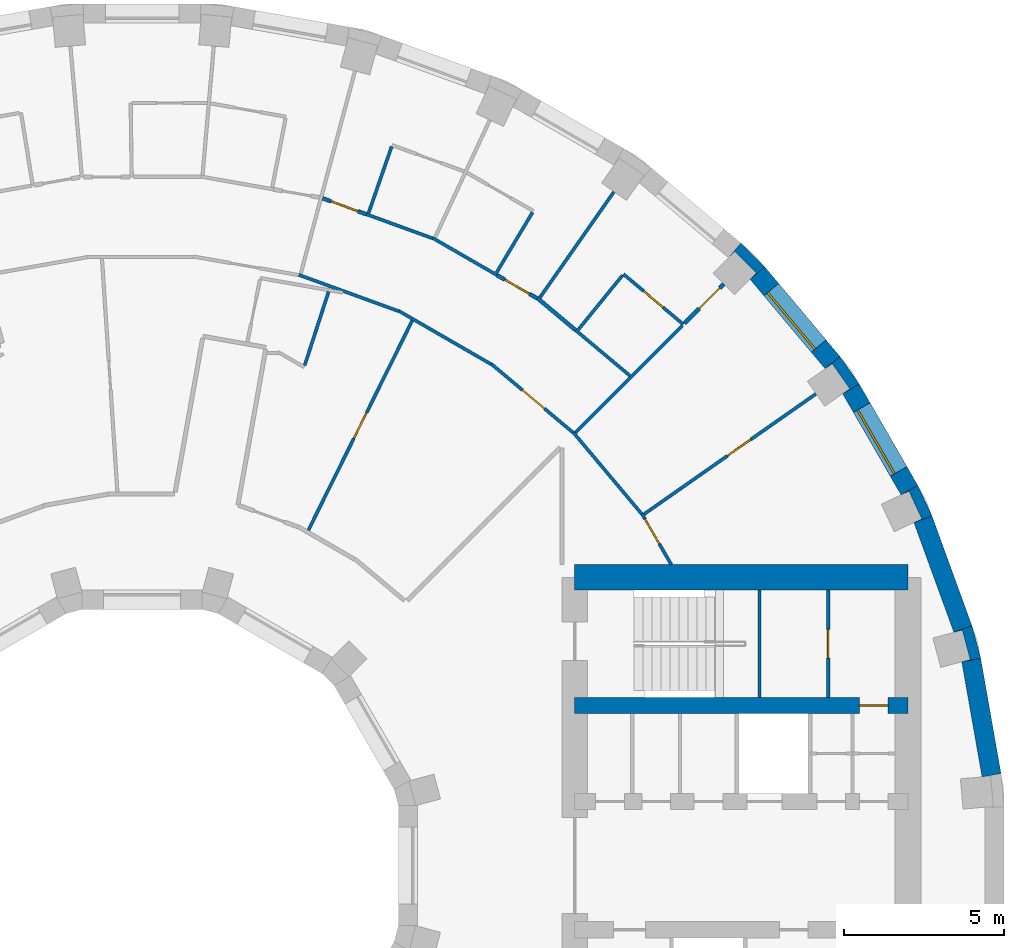
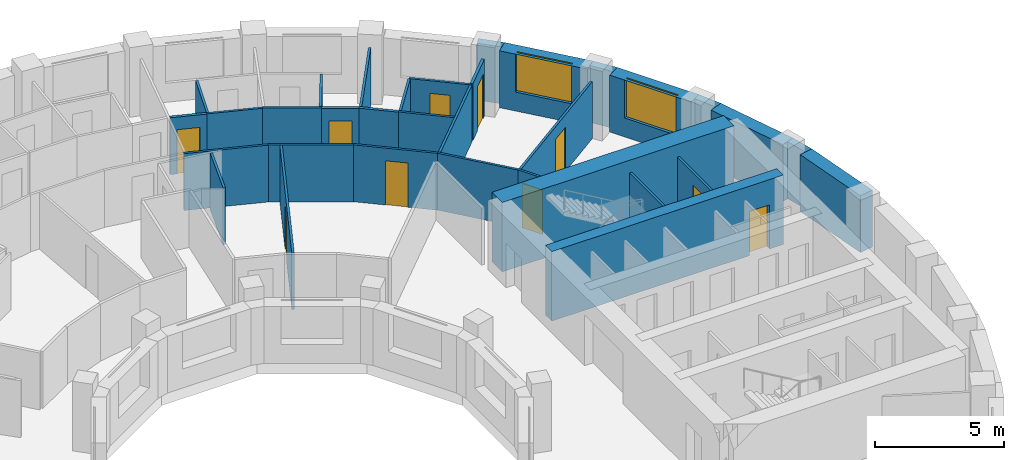
# One storey, part 14 of 16: 33 walls, 10 doors, 2 windows, 12 openings.
"""IFC4 building model written with IfcOpenShell, lengths in metres."""

from ifc_helpers import new_model, si_unit, direction, frame, frame_2d, origin, place, context, subcontext, project, spatial, polyline, rectangle, outline, extrude, material, layer, layer_set, type_object, element, fill, save


model = new_model("IFC4")

# Units and contexts
model_context = context("Model", 3, precision=1e-05, world=origin(), true_north=direction((0.0, 1.0)))
body_context = subcontext(model_context, "Body", "Model", "MODEL_VIEW")
ifc_project = project(units=[si_unit("LENGTHUNIT", "METRE"), si_unit("AREAUNIT", "SQUARE_METRE"), si_unit("VOLUMEUNIT", "CUBIC_METRE"), si_unit("PLANEANGLEUNIT", "RADIAN"), si_unit("MASSUNIT", "GRAM", prefix="KILO")], contexts=[model_context])

# Site, building, storey
site_placement = place(None, origin())
site = spatial("IfcSite", under=ifc_project, at=site_placement, CompositionType="ELEMENT")
building_placement = place(site_placement, origin())
building = spatial("IfcBuilding", under=site, at=building_placement, Name="Saqina Gate Tower", CompositionType="ELEMENT")
storey_placement = place(building_placement, frame((0.0, 0.0, 148.0)))
storey = spatial("IfcBuildingStorey", under=building, at=storey_placement, Name="L42", CompositionType="ELEMENT", Elevation=148.0)

# Walls
ifc_material_1 = material(Name="Brick masonry (buff)", Category="masonry")
wall_type_1 = type_object("IfcWallType", Name="BRICK PIER COPING BUFF", PredefinedType="SOLIDWALL", material=ifc_material_1)
wall_1_placement = place(storey_placement, origin())
element("IfcWall", 1, at=wall_1_placement, inside=storey, type_object=wall_type_1, Name="Pier cap L42 column 2", PredefinedType="SOLIDWALL", context=body_context, shape_type="SweptSolid", body=[
    extrude(outline(polyline([(26.171875, 6.466796875), (25.89892578125, 7.485595703125), (25.335205078125, 7.2802734375), (25.5947265625, 7.349853515625), (25.8408203125, 6.43212890625), (25.5810546875, 6.36279296875), (26.171875, 6.466796875)])), origin(), (0.0, 0.0, 1.0), 2.699951171875),
])
wall_2_placement = place(storey_placement, origin())
element("IfcWall", 2, at=wall_2_placement, inside=storey, type_object=wall_type_1, Name="Pier cap L42 column 3", PredefinedType="SOLIDWALL", context=body_context, shape_type="SweptSolid", body=[
    extrude(outline(polyline([(24.6513671875, 10.913330078125), (24.205810546875, 11.869140625), (23.68603515625, 11.569091796875), (23.9296875, 11.6826171875), (24.331298828125, 10.82177734375), (24.08740234375, 10.7080078125), (24.6513671875, 10.913330078125)])), origin(), (0.0, 0.0, 1.0), 2.699951171875),
])
wall_3_placement = place(storey_placement, origin())
element("IfcWall", 3, at=wall_3_placement, inside=storey, type_object=wall_type_1, Name="Pier cap L42 column 4", PredefinedType="SOLIDWALL", context=body_context, shape_type="SweptSolid", body=[
    extrude(outline(polyline([(21.77685546875, 15.89208984375), (21.317138671875, 15.50634765625), (21.53759765625, 15.66064453125), (22.08251953125, 14.88232421875), (21.862060546875, 14.728271484375), (22.3818359375, 15.0283203125), (21.77685546875, 15.89208984375)])), origin(), (0.0, 0.0, 1.0), 2.699951171875),
])
wall_4_placement = place(storey_placement, origin())
element("IfcWall", 4, at=wall_4_placement, inside=storey, type_object=wall_type_1, Name="Pier cap L42 column 5", PredefinedType="SOLIDWALL", context=body_context, shape_type="SweptSolid", body=[
    extrude(outline(polyline([(19.43212890625, 18.686279296875), (18.686279296875, 19.43212890625), (18.30078125, 18.972412109375), (18.49072265625, 19.16259765625), (19.16259765625, 18.49072265625), (18.972412109375, 18.30078125), (19.43212890625, 18.686279296875)])), origin(), (0.0, 0.0, 1.0), 2.699951171875),
])

# Wall, opening, door
ifc_material_2 = material(Name="Gypsum board on steel studs", Category="steel")
ifc_layer_1 = layer(ifc_material_2, 0.10009765625)
ifc_layer_set_1 = layer_set([ifc_layer_1], Name="CORE PARTITION")
wall_type_2 = type_object("IfcWallType", Name="CORE PARTITION", PredefinedType="PARTITIONING", material=ifc_layer_set_1)
wall_5_placement = place(storey_placement, frame((21.409912109375, 5.25, 0.0), z_axis=(0.0, 0.0, 1.0), x_axis=(0.0, 1.0, 0.0)))
wall_5 = element("IfcWall", 5, at=wall_5_placement, inside=storey, type_object=wall_type_2, Name="L42-CP-E14", PredefinedType="PARTITIONING", context=body_context, shape_type="SweptSolid", body=[
    extrude(rectangle(XDim=3.35009765625, YDim=0.10009765625, at=frame_2d((1.675048828125, 0.0))), origin(), (0.0, 0.0, 1.0), 2.699951171875),
])
opening_1_placement = place(wall_5_placement, frame((1.22509765625, 0.0, 0.0)))
opening_1 = element("IfcOpeningElement", 6, at=opening_1_placement, cuts=wall_5, Name="Opening G12-D100", PredefinedType="OPENING", context=body_context, shape_type="SweptSolid", body=[
    extrude(rectangle(XDim=0.89990234375, YDim=2.10009765625, at=frame_2d((0.449951171875, 1.050048828125))), frame((0.0, 0.06201171875, 0.0), z_axis=(0.0, -1.0, 0.0), x_axis=(1.0, 0.0, 0.0)), (0.0, 0.0, 1.0), 0.1240234375),
])
ifc_material_3 = material(Name="Steel-framed fire door leaf, EI 60", Category="steel")
door_type_1 = type_object("IfcDoorType", Name="SERVICE ROOM DOOR 900", OperationType="SINGLE_SWING_LEFT", PredefinedType="DOOR", material=ifc_material_3)
door_1_placement = place(opening_1_placement, origin())
door_1 = element("IfcDoor", 7, at=door_1_placement, inside=storey, type_object=door_type_1, Name="L42-CD-E11", OperationType="SINGLE_SWING_RIGHT", OverallHeight=2.10009765625, OverallWidth=0.89990234375, PredefinedType="DOOR", context=body_context, shape_type="SweptSolid", body=[
    extrude(rectangle(XDim=0.89990234375, YDim=2.10009765625, at=frame_2d((0.449951171875, 1.050048828125))), frame((0.0, 0.02490234375, 0.0), z_axis=(0.0, -1.0, 0.0), x_axis=(1.0, 0.0, 0.0)), (0.0, 0.0, 1.0), 0.050048828125),
])
fill(opening_1, door_1)

# Wall, opening, window
ifc_material_4 = material(Name="Brick masonry (buff)", Category="masonry")
ifc_layer_2 = layer(ifc_material_4, 0.60009765625)
ifc_layer_set_2 = layer_set([ifc_layer_2], Name="FW-BRICK-BUFF")
wall_type_3 = type_object("IfcWallType", Name="FW-BRICK-BUFF", PredefinedType="SOLIDWALL", material=ifc_layer_set_2)
wall_6_placement = place(storey_placement, frame((23.94580078125, 11.718994140625, 0.0), z_axis=(0.0, 0.0, 1.0), x_axis=(-0.499954196102, 0.866051847062, 0.0)))
wall_6 = element("IfcWall", 8, at=wall_6_placement, inside=storey, type_object=wall_type_3, Name="Facade wall L42 facet 3", PredefinedType="SOLIDWALL", context=body_context, shape_type="SweptSolid", body=[
    extrude(rectangle(XDim=3.647705078125, YDim=0.60009765625, at=frame_2d((1.82373046875, 0.0))), origin(), (0.0, 0.0, 1.0), 2.699951171875),
])
opening_2_placement = place(wall_6_placement, frame((0.673828125, 0.0, 0.89990234375)))
opening_2 = element("IfcOpeningElement", 9, at=opening_2_placement, cuts=wall_6, Name="Opening G12-W01", PredefinedType="OPENING", context=body_context, shape_type="SweptSolid", body=[
    extrude(rectangle(XDim=2.300048828125, YDim=1.800048828125, at=frame_2d((1.14990234375, 0.89990234375))), frame((0.0, 0.31201171875, 0.0), z_axis=(0.0, -1.0, 0.0), x_axis=(1.0, 0.0, 0.0)), (0.0, 0.0, 1.0), 0.6240234375),
])
ifc_material_5 = material(Name="Aluminium glazing", Category="aluminium")
window_type = type_object("IfcWindowType", Name="WN-B", PartitioningType="SINGLE_PANEL", PredefinedType="WINDOW", material=ifc_material_5)
window_1_placement = place(opening_2_placement, origin())
window_1 = element("IfcWindow", 10, at=window_1_placement, inside=storey, type_object=window_type, Name="Window L42 facet 3", OverallHeight=1.800048828125, OverallWidth=2.300048828125, PartitioningType="SINGLE_PANEL", PredefinedType="WINDOW", context=body_context, shape_type="SweptSolid", body=[
    extrude(rectangle(XDim=2.300048828125, YDim=1.800048828125, at=frame_2d((1.14990234375, 0.89990234375))), frame((0.0, 0.179931640625, 0.0), z_axis=(0.0, -1.0, 0.0), x_axis=(1.0, 0.0, 0.0)), (0.0, 0.0, 1.0), 0.06005859375),
])
fill(opening_2, window_1)

wall_7_placement = place(storey_placement, frame((21.547119140625, 15.69921875, 0.0), z_axis=(0.0, 0.0, 1.0), x_axis=(-0.642774476932, 0.766055462616, 0.0)))
wall_7 = element("IfcWall", 11, at=wall_7_placement, inside=storey, type_object=wall_type_3, Name="Facade wall L42 facet 4", PredefinedType="SOLIDWALL", context=body_context, shape_type="SweptSolid", body=[
    extrude(rectangle(XDim=3.647705078125, YDim=0.60009765625, at=frame_2d((1.82373046875, 0.0))), origin(), (0.0, 0.0, 1.0), 2.699951171875),
])
opening_3_placement = place(wall_7_placement, frame((0.673828125, 0.0, 0.89990234375)))
opening_3 = element("IfcOpeningElement", 12, at=opening_3_placement, cuts=wall_7, Name="Opening G12-W02", PredefinedType="OPENING", context=body_context, shape_type="SweptSolid", body=[
    extrude(rectangle(XDim=2.300048828125, YDim=1.800048828125, at=frame_2d((1.14990234375, 0.89990234375))), frame((0.0, 0.31201171875, 0.0), z_axis=(0.0, -1.0, 0.0), x_axis=(1.0, 0.0, 0.0)), (0.0, 0.0, 1.0), 0.6240234375),
])
window_2_placement = place(opening_3_placement, origin())
window_2 = element("IfcWindow", 13, at=window_2_placement, inside=storey, type_object=window_type, Name="Window L42 facet 4", OverallHeight=1.800048828125, OverallWidth=2.300048828125, PartitioningType="SINGLE_PANEL", PredefinedType="WINDOW", context=body_context, shape_type="SweptSolid", body=[
    extrude(rectangle(XDim=2.300048828125, YDim=1.800048828125, at=frame_2d((1.14990234375, 0.89990234375))), frame((0.0, 0.179931640625, 0.0), z_axis=(0.0, -1.0, 0.0), x_axis=(1.0, 0.0, 0.0)), (0.0, 0.0, 1.0), 0.06005859375),
])
fill(opening_3, window_2)

# Walls
ifc_material_6 = material(Name="Glazed ceramic tile", Category="ceramic")
ifc_layer_3 = layer(ifc_material_6, 0.60009765625)
ifc_layer_set_3 = layer_set([ifc_layer_3], Name="FW-TILE")
wall_type_4 = type_object("IfcWallType", Name="FW-TILE", PredefinedType="SOLIDWALL", material=ifc_layer_set_3)
wall_8_placement = place(storey_placement, frame((26.510009765625, 2.822265625, 0.0), z_axis=(0.0, 0.0, 1.0), x_axis=(-0.173670796382, 0.984803764455, 0.0)))
element("IfcWall", 14, at=wall_8_placement, inside=storey, type_object=wall_type_4, Name="Facade wall L42 facet 1", PredefinedType="SOLIDWALL", context=body_context, shape_type="SweptSolid", body=[
    extrude(rectangle(XDim=3.64794921875, YDim=0.60009765625, at=frame_2d((1.823974609375, 0.0))), origin(), (0.0, 0.0, 1.0), 2.699951171875),
])
ifc_material_7 = material(Name="Glazed ceramic tile (white)", Category="ceramic")
ifc_layer_4 = layer(ifc_material_7, 0.60009765625)
ifc_layer_set_4 = layer_set([ifc_layer_4], Name="FW-TILE-WH")
wall_type_5 = type_object("IfcWallType", Name="FW-TILE-WH", PredefinedType="SOLIDWALL", material=ifc_layer_set_4)
wall_9_placement = place(storey_placement, frame((25.616943359375, 7.3828125, 0.0), z_axis=(0.0, 0.0, 1.0), x_axis=(-0.341990236633, 0.939703505393, 0.0)))
element("IfcWall", 15, at=wall_9_placement, inside=storey, type_object=wall_type_5, Name="Facade wall L42 facet 2", PredefinedType="SOLIDWALL", context=body_context, shape_type="SweptSolid", body=[
    extrude(rectangle(XDim=3.64794921875, YDim=0.60009765625, at=frame_2d((1.823974609375, 0.0))), origin(), (0.0, 0.0, 1.0), 2.699951171875),
])

# Wall, opening, door
ifc_material_8 = material(Name="Gypsum board on steel studs, 100 mm", Category="steel")
ifc_layer_5 = layer(ifc_material_8, 0.10009765625)
ifc_layer_set_5 = layer_set([ifc_layer_5], Name="PARTITION 100")
wall_type_6 = type_object("IfcWallType", Name="PARTITION 100", PredefinedType="PARTITIONING", material=ifc_layer_set_5)
wall_10_placement = place(storey_placement, frame((15.5966796875, 10.98291015625, 0.0), z_axis=(0.0, 0.0, 1.0), x_axis=(0.500084239528, -0.865976762607, 0.0)))
wall_10 = element("IfcWall", 16, at=wall_10_placement, inside=storey, type_object=wall_type_6, Name="PARTITION PW3-12", PredefinedType="PARTITIONING", context=body_context, shape_type="SweptSolid", body=[
    extrude(rectangle(XDim=1.830322265625, YDim=0.10009765625, at=frame_2d((0.9150390625, 0.0))), origin(), (0.0, 0.0, 1.0), 2.699951171875),
])
opening_4_placement = place(wall_10_placement, frame((0.1904296875, 0.0, 0.0)))
opening_4 = element("IfcOpeningElement", 17, at=opening_4_placement, cuts=wall_10, Name="Opening G12-D01", PredefinedType="OPENING", context=body_context, shape_type="SweptSolid", body=[
    extrude(rectangle(XDim=0.89990234375, YDim=2.10009765625, at=frame_2d((0.449951171875, 1.050048828125))), frame((0.0, 0.06201171875, 0.0), z_axis=(0.0, -1.0, 0.0), x_axis=(1.0, 0.0, 0.0)), (0.0, 0.0, 1.0), 0.1240234375),
])
ifc_material_9 = material(Name="Timber door leaf, 900 mm", Category="wood")
door_type_2 = type_object("IfcDoorType", Name="DOOR 900 TIMBER", OperationType="SINGLE_SWING_LEFT", PredefinedType="DOOR", material=ifc_material_9)
door_2_placement = place(opening_4_placement, frame((0.89990234375, 0.0, 0.0), z_axis=(0.0, 0.0, 1.0), x_axis=(-1.0, 0.0, 0.0)))
door_2 = element("IfcDoor", 18, at=door_2_placement, inside=storey, type_object=door_type_2, Name="DOOR G12-D01", OperationType="SINGLE_SWING_LEFT", OverallHeight=2.10009765625, OverallWidth=0.89990234375, PredefinedType="DOOR", context=body_context, shape_type="SweptSolid", body=[
    extrude(rectangle(XDim=0.89990234375, YDim=2.10009765625, at=frame_2d((0.449951171875, 1.050048828125))), frame((0.0, 0.02490234375, 0.0), z_axis=(0.0, -1.0, 0.0), x_axis=(1.0, 0.0, 0.0)), (0.0, 0.0, 1.0), 0.050048828125),
])
fill(opening_4, door_2)

# Wall
wall_11_placement = place(storey_placement, frame((13.452392578125, 13.52392578125, 0.0), z_axis=(0.0, 0.0, 1.0), x_axis=(0.642888943472, -0.765959402554, 0.0)))
element("IfcWall", 19, at=wall_11_placement, inside=storey, type_object=wall_type_6, Name="PARTITION PW3-19", PredefinedType="PARTITIONING", context=body_context, shape_type="SweptSolid", body=[
    extrude(rectangle(XDim=3.32470703125, YDim=0.10009765625, at=frame_2d((1.662353515625, 0.0))), origin(), (0.0, 0.0, 1.0), 2.699951171875),
])

# Wall, opening, door
wall_12_placement = place(storey_placement, frame((10.900146484375, 15.654541015625, 0.0), z_axis=(0.0, 0.0, 1.0), x_axis=(0.765959402554, -0.642888943472, 0.0)))
wall_12 = element("IfcWall", 20, at=wall_12_placement, inside=storey, type_object=wall_type_6, Name="PARTITION PW3-29", PredefinedType="PARTITIONING", context=body_context, shape_type="SweptSolid", body=[
    extrude(rectangle(XDim=3.32470703125, YDim=0.10009765625, at=frame_2d((1.662353515625, 0.0))), origin(), (0.0, 0.0, 1.0), 2.699951171875),
])
opening_5_placement = place(wall_12_placement, frame((1.2626953125, 0.0, 0.0)))
opening_5 = element("IfcOpeningElement", 21, at=opening_5_placement, cuts=wall_12, Name="Opening G12-D05", PredefinedType="OPENING", context=body_context, shape_type="SweptSolid", body=[
    extrude(rectangle(XDim=0.89990234375, YDim=2.10009765625, at=frame_2d((0.449951171875, 1.050048828125))), frame((0.0, 0.06201171875, 0.0), z_axis=(0.0, -1.0, 0.0), x_axis=(1.0, 0.0, 0.0)), (0.0, 0.0, 1.0), 0.1240234375),
])
door_3_placement = place(opening_5_placement, frame((0.89990234375, 0.0, 0.0), z_axis=(0.0, 0.0, 1.0), x_axis=(-1.0, 0.0, 0.0)))
door_3 = element("IfcDoor", 22, at=door_3_placement, inside=storey, type_object=door_type_2, Name="DOOR G12-D05", OperationType="SINGLE_SWING_LEFT", OverallHeight=2.10009765625, OverallWidth=0.89990234375, PredefinedType="DOOR", context=body_context, shape_type="SweptSolid", body=[
    extrude(rectangle(XDim=0.89990234375, YDim=2.10009765625, at=frame_2d((0.449951171875, 1.050048828125))), frame((0.0, 0.02490234375, 0.0), z_axis=(0.0, -1.0, 0.0), x_axis=(1.0, 0.0, 0.0)), (0.0, 0.0, 1.0), 0.050048828125),
])
fill(opening_5, door_3)

# Wall
wall_13_placement = place(storey_placement, frame((13.53173828125, 16.708251953125, 0.0), z_axis=(0.0, 0.0, 1.0), x_axis=(0.766038513467, -0.642794676305, 0.0)))
element("IfcWall", 23, at=wall_13_placement, inside=storey, type_object=wall_type_6, Name="PARTITION PW3-30", PredefinedType="PARTITIONING", context=body_context, shape_type="SweptSolid", body=[
    extrude(rectangle(XDim=2.204833984375, YDim=0.10009765625, at=frame_2d((1.1025390625, 0.0))), origin(), (0.0, 0.0, 1.0), 2.699951171875),
])

# Wall, opening, door
wall_14_placement = place(storey_placement, frame((15.02197265625, 18.4599609375, 0.0), z_axis=(0.0, 0.0, 1.0), x_axis=(0.765953139847, -0.642896404997, 0.0)))
wall_14 = element("IfcWall", 24, at=wall_14_placement, inside=storey, type_object=wall_type_6, Name="PARTITION PW3-31", PredefinedType="PARTITIONING", context=body_context, shape_type="SweptSolid", body=[
    extrude(rectangle(XDim=2.440185546875, YDim=0.10009765625, at=frame_2d((1.22021484375, 0.0))), origin(), (0.0, 0.0, 1.0), 2.699951171875),
])
opening_6_placement = place(wall_14_placement, frame((0.820068359375, 0.0, 0.0)))
opening_6 = element("IfcOpeningElement", 25, at=opening_6_placement, cuts=wall_14, Name="Opening G12-D04", PredefinedType="OPENING", context=body_context, shape_type="SweptSolid", body=[
    extrude(rectangle(XDim=0.800048828125, YDim=2.10009765625, at=frame_2d((0.39990234375, 1.050048828125))), frame((0.0, 0.06201171875, 0.0), z_axis=(0.0, -1.0, 0.0), x_axis=(1.0, 0.0, 0.0)), (0.0, 0.0, 1.0), 0.1240234375),
])
ifc_material_10 = material(Name="Timber door leaf, 800 mm", Category="wood")
door_type_3 = type_object("IfcDoorType", Name="DOOR 800 TIMBER", OperationType="SINGLE_SWING_LEFT", PredefinedType="DOOR", material=ifc_material_10)
door_4_placement = place(opening_6_placement, origin())
door_4 = element("IfcDoor", 26, at=door_4_placement, inside=storey, type_object=door_type_3, Name="DOOR G12-D04", OperationType="SINGLE_SWING_LEFT", OverallHeight=2.10009765625, OverallWidth=0.800048828125, PredefinedType="DOOR", context=body_context, shape_type="SweptSolid", body=[
    extrude(rectangle(XDim=0.800048828125, YDim=2.10009765625, at=frame_2d((0.39990234375, 1.050048828125))), frame((0.0, 0.02490234375, 0.0), z_axis=(0.0, -1.0, 0.0), x_axis=(1.0, 0.0, 0.0)), (0.0, 0.0, 1.0), 0.050048828125),
])
fill(opening_6, door_4)

# Walls
wall_15_placement = place(storey_placement, frame((8.01611328125, 17.309326171875, 0.0), z_axis=(0.0, 0.0, 1.0), x_axis=(0.865920199123, -0.500182175564, 0.0)))
element("IfcWall", 27, at=wall_15_placement, inside=storey, type_object=wall_type_6, Name="PARTITION PW3-42", PredefinedType="PARTITIONING", context=body_context, shape_type="SweptSolid", body=[
    extrude(rectangle(XDim=3.324951171875, YDim=0.10009765625, at=frame_2d((1.66259765625, 0.0))), origin(), (0.0, 0.0, 1.0), 2.699951171875),
])
wall_16_placement = place(storey_placement, frame((9.075927734375, 19.58349609375, 0.0), z_axis=(0.0, 0.0, 1.0), x_axis=(0.865841628869, -0.500318172484, 0.0)))
element("IfcWall", 28, at=wall_16_placement, inside=storey, type_object=wall_type_6, Name="PARTITION PW3-43", PredefinedType="PARTITIONING", context=body_context, shape_type="SweptSolid", body=[
    extrude(rectangle(XDim=2.3056640625, YDim=0.10009765625, at=frame_2d((1.15283203125, 0.0))), origin(), (0.0, 0.0, 1.0), 2.699951171875),
])
wall_17_placement = place(storey_placement, frame((4.88818359375, 18.4384765625, 0.0), z_axis=(0.0, 0.0, 1.0), x_axis=(0.939679760884, -0.342055473549, 0.0)))
element("IfcWall", 29, at=wall_17_placement, inside=storey, type_object=wall_type_6, Name="PARTITION PW3-50", PredefinedType="PARTITIONING", context=body_context, shape_type="SweptSolid", body=[
    extrude(rectangle(XDim=3.325439453125, YDim=0.10009765625, at=frame_2d((1.66259765625, 0.0))), origin(), (0.0, 0.0, 1.0), 2.699951171875),
])
wall_18_placement = place(storey_placement, frame((7.000732421875, 20.32861328125, 0.0), z_axis=(0.0, 0.0, 1.0), x_axis=(0.939728749343, -0.341920864613, 0.0)))
element("IfcWall", 30, at=wall_18_placement, inside=storey, type_object=wall_type_6, Name="PARTITION PW3-51", PredefinedType="PARTITIONING", context=body_context, shape_type="SweptSolid", body=[
    extrude(rectangle(XDim=2.204833984375, YDim=0.10009765625, at=frame_2d((1.1025390625, 0.0))), origin(), (0.0, 0.0, 1.0), 2.699951171875),
])

# Wall, opening, door
wall_19_placement = place(storey_placement, frame((15.662841796875, 10.9677734375, 0.0), z_axis=(0.0, 0.0, 1.0), x_axis=(0.8192371786, 0.573454832746, 0.0)))
wall_19 = element("IfcWall", 31, at=wall_19_placement, inside=storey, type_object=wall_type_6, Name="PARTITION PW3-78", PredefinedType="PARTITIONING", context=body_context, shape_type="SweptSolid", body=[
    extrude(rectangle(XDim=6.5439453125, YDim=0.10009765625, at=frame_2d((3.27197265625, 0.0))), origin(), (0.0, 0.0, 1.0), 2.699951171875),
])
opening_7_placement = place(wall_19_placement, frame((3.16455078125, 0.0, 0.0)))
opening_7 = element("IfcOpeningElement", 32, at=opening_7_placement, cuts=wall_19, Name="Opening G12-D02", PredefinedType="OPENING", context=body_context, shape_type="SweptSolid", body=[
    extrude(rectangle(XDim=0.89990234375, YDim=2.10009765625, at=frame_2d((0.449951171875, 1.050048828125))), frame((0.0, 0.06201171875, 0.0), z_axis=(0.0, -1.0, 0.0), x_axis=(1.0, 0.0, 0.0)), (0.0, 0.0, 1.0), 0.1240234375),
])
door_5_placement = place(opening_7_placement, frame((0.89990234375, 0.0, 0.0), z_axis=(0.0, 0.0, 1.0), x_axis=(-1.0, 0.0, 0.0)))
door_5 = element("IfcDoor", 33, at=door_5_placement, inside=storey, type_object=door_type_2, Name="DOOR G12-D02", OperationType="SINGLE_SWING_LEFT", OverallHeight=2.10009765625, OverallWidth=0.89990234375, PredefinedType="DOOR", context=body_context, shape_type="SweptSolid", body=[
    extrude(rectangle(XDim=0.89990234375, YDim=2.10009765625, at=frame_2d((0.449951171875, 1.050048828125))), frame((0.0, 0.02490234375, 0.0), z_axis=(0.0, -1.0, 0.0), x_axis=(1.0, 0.0, 0.0)), (0.0, 0.0, 1.0), 0.050048828125),
])
fill(opening_7, door_5)

# Walls
wall_20_placement = place(storey_placement, frame((13.520263671875, 13.520263671875, 0.0), z_axis=(0.0, 0.0, 1.0), x_axis=(0.707106781187, 0.707106781187, 0.0)))
element("IfcWall", 34, at=wall_20_placement, inside=storey, type_object=wall_type_6, Name="PARTITION PW3-88", PredefinedType="PARTITIONING", context=body_context, shape_type="SweptSolid", body=[
    extrude(rectangle(XDim=4.717041015625, YDim=0.10009765625, at=frame_2d((2.3583984375, 0.0))), origin(), (0.0, 0.0, 1.0), 2.699951171875),
])
wall_21_placement = place(storey_placement, frame((13.609375, 16.724365234375, 0.0), z_axis=(0.0, 0.0, 1.0), x_axis=(0.631272959342, 0.77556073315, 0.0)))
element("IfcWall", 35, at=wall_21_placement, inside=storey, type_object=wall_type_6, Name="PARTITION PW3-96", PredefinedType="PARTITIONING", context=body_context, shape_type="SweptSolid", body=[
    extrude(rectangle(XDim=2.187744140625, YDim=0.10009765625, at=frame_2d((1.09375, 0.0))), origin(), (0.0, 0.0, 1.0), 2.699951171875),
])
wall_22_placement = place(storey_placement, frame((12.412841796875, 17.728271484375, 0.0), z_axis=(0.0, 0.0, 1.0), x_axis=(0.573641530368, 0.819106461113, 0.0)))
element("IfcWall", 36, at=wall_22_placement, inside=storey, type_object=wall_type_6, Name="PARTITION PW3-98", PredefinedType="PARTITIONING", context=body_context, shape_type="SweptSolid", body=[
    extrude(rectangle(XDim=4.023193359375, YDim=0.10009765625, at=frame_2d((2.01171875, 0.0))), origin(), (0.0, 0.0, 1.0), 2.699951171875),
])
wall_23_placement = place(storey_placement, frame((11.06103515625, 18.508544921875, 0.0), z_axis=(0.0, 0.0, 1.0), x_axis=(0.512903306279, 0.85844638645, 0.0)))
element("IfcWall", 37, at=wall_23_placement, inside=storey, type_object=wall_type_6, Name="PARTITION PW3-101", PredefinedType="PARTITIONING", context=body_context, shape_type="SweptSolid", body=[
    extrude(rectangle(XDim=2.188232421875, YDim=0.10009765625, at=frame_2d((1.09423828125, 0.0))), origin(), (0.0, 0.0, 1.0), 2.699951171875),
])

# Wall, opening, door
wall_24_placement = place(storey_placement, frame((5.18896484375, 10.470458984375, 0.0), z_axis=(0.0, 0.0, 1.0), x_axis=(0.444040739055, 0.896006597107, 0.0)))
wall_24 = element("IfcWall", 38, at=wall_24_placement, inside=storey, type_object=wall_type_6, Name="PARTITION PW3-105", PredefinedType="PARTITIONING", context=body_context, shape_type="SweptSolid", body=[
    extrude(rectangle(XDim=7.301025390625, YDim=0.10009765625, at=frame_2d((3.650390625, 0.0))), origin(), (0.0, 0.0, 1.0), 2.699951171875),
])
opening_8_placement = place(wall_24_placement, frame((3.193115234375, 0.0, 0.0)))
opening_8 = element("IfcOpeningElement", 39, at=opening_8_placement, cuts=wall_24, Name="Opening G12-D08", PredefinedType="OPENING", context=body_context, shape_type="SweptSolid", body=[
    extrude(rectangle(XDim=0.89990234375, YDim=2.10009765625, at=frame_2d((0.449951171875, 1.050048828125))), frame((0.0, 0.06201171875, 0.0), z_axis=(0.0, -1.0, 0.0), x_axis=(1.0, 0.0, 0.0)), (0.0, 0.0, 1.0), 0.1240234375),
])
door_6_placement = place(opening_8_placement, origin())
door_6 = element("IfcDoor", 40, at=door_6_placement, inside=storey, type_object=door_type_2, Name="DOOR G12-D08", OperationType="SINGLE_SWING_LEFT", OverallHeight=2.10009765625, OverallWidth=0.89990234375, PredefinedType="DOOR", context=body_context, shape_type="SweptSolid", body=[
    extrude(rectangle(XDim=0.89990234375, YDim=2.10009765625, at=frame_2d((0.449951171875, 1.050048828125))), frame((0.0, 0.02490234375, 0.0), z_axis=(0.0, -1.0, 0.0), x_axis=(1.0, 0.0, 0.0)), (0.0, 0.0, 1.0), 0.050048828125),
])
fill(opening_8, door_6)

# Walls
wall_25_placement = place(storey_placement, frame((7.064453125, 20.359130859375, 0.0), z_axis=(0.0, 0.0, 1.0), x_axis=(0.327788872324, 0.944751001683, 0.0)))
element("IfcWall", 41, at=wall_25_placement, inside=storey, type_object=wall_type_6, Name="PARTITION PW3-110", PredefinedType="PARTITIONING", context=body_context, shape_type="SweptSolid", body=[
    extrude(rectangle(XDim=2.2001953125, YDim=0.10009765625, at=frame_2d((1.10009765625, 0.0))), origin(), (0.0, 0.0, 1.0), 2.699951171875),
])
wall_26_placement = place(storey_placement, frame((5.07177734375, 15.608642578125, 0.0), z_axis=(0.0, 0.0, 1.0), x_axis=(0.30874872516, 0.95114364042, 0.0)))
element("IfcWall", 42, at=wall_26_placement, inside=storey, type_object=wall_type_6, Name="PARTITION PW3-111", PredefinedType="PARTITIONING", context=body_context, shape_type="SweptSolid", body=[
    extrude(rectangle(XDim=2.422119140625, YDim=0.10009765625, at=frame_2d((1.2109375, 0.0))), origin(), (0.0, 0.0, 1.0), 2.699951171875),
])
ifc_material_11 = material(Name="Gypsum board on steel studs, 125 mm, fire rated", Category="steel")
ifc_layer_6 = layer(ifc_material_11, 0.125)
ifc_layer_set_6 = layer_set([ifc_layer_6], Name="PARTITION EI 30 125")
wall_type_7 = type_object("IfcWallType", Name="PARTITION EI 30 125", PredefinedType="PARTITIONING", material=ifc_layer_set_6)
wall_27_placement = place(storey_placement, frame((12.328369140625, 17.7177734375, 0.0), z_axis=(0.0, 0.0, 1.0), x_axis=(0.76611500949, -0.642703502585, 0.0)))
element("IfcWall", 43, at=wall_27_placement, inside=storey, type_object=wall_type_7, Name="PARTITION PW1-14", PredefinedType="PARTITIONING", context=body_context, shape_type="SweptSolid", body=[
    extrude(rectangle(XDim=1.57080078125, YDim=0.125, at=frame_2d((0.785400390625, 0.0))), origin(), (0.0, 0.0, 1.0), 2.699951171875),
])

# Wall, opening, door
wall_28_placement = place(storey_placement, frame((11.072265625, 18.429931640625, 0.0), z_axis=(0.0, 0.0, 1.0), x_axis=(0.866112382925, -0.499849317439, 0.0)))
wall_28 = element("IfcWall", 44, at=wall_28_placement, inside=storey, type_object=wall_type_7, Name="PARTITION PW1-19", PredefinedType="PARTITIONING", context=body_context, shape_type="SweptSolid", body=[
    extrude(rectangle(XDim=1.44384765625, YDim=0.125, at=frame_2d((0.721923828125, 0.0))), origin(), (0.0, 0.0, 1.0), 2.699951171875),
])
opening_9_placement = place(wall_28_placement, frame((0.2783203125, 0.0, 0.0)))
opening_9 = element("IfcOpeningElement", 45, at=opening_9_placement, cuts=wall_28, Name="Opening G12-D06", PredefinedType="OPENING", context=body_context, shape_type="SweptSolid", body=[
    extrude(rectangle(XDim=0.89990234375, YDim=2.10009765625, at=frame_2d((0.449951171875, 1.050048828125))), frame((0.0, 0.074462890625, 0.0), z_axis=(0.0, -1.0, 0.0), x_axis=(1.0, 0.0, 0.0)), (0.0, 0.0, 1.0), 0.14892578125),
])
ifc_material_12 = material(Name="Fire door leaf EI 30, 900 mm")
door_type_4 = type_object("IfcDoorType", Name="DOOR 900 EI 30", OperationType="SINGLE_SWING_LEFT", PredefinedType="DOOR", material=ifc_material_12)
door_7_placement = place(opening_9_placement, frame((0.89990234375, 0.0, 0.0), z_axis=(0.0, 0.0, 1.0), x_axis=(-1.0, 0.0, 0.0)))
door_7 = element("IfcDoor", 46, at=door_7_placement, inside=storey, type_object=door_type_4, Name="DOOR G12-D06", OperationType="SINGLE_SWING_LEFT", OverallHeight=2.10009765625, OverallWidth=0.89990234375, PredefinedType="DOOR", context=body_context, shape_type="SweptSolid", body=[
    extrude(rectangle(XDim=0.89990234375, YDim=2.10009765625, at=frame_2d((0.449951171875, 1.050048828125))), frame((0.0, 0.02490234375, 0.0), z_axis=(0.0, -1.0, 0.0), x_axis=(1.0, 0.0, 0.0)), (0.0, 0.0, 1.0), 0.050048828125),
])
fill(opening_9, door_7)

wall_29_placement = place(storey_placement, frame((5.633056640625, 20.826904296875, 0.0), z_axis=(0.0, 0.0, 1.0), x_axis=(0.939292989356, -0.343116132159, 0.0)))
wall_29 = element("IfcWall", 47, at=wall_29_placement, inside=storey, type_object=wall_type_7, Name="PARTITION PW1-20", PredefinedType="PARTITIONING", context=body_context, shape_type="SweptSolid", body=[
    extrude(rectangle(XDim=1.455810546875, YDim=0.125, at=frame_2d((0.72802734375, 0.0))), origin(), (0.0, 0.0, 1.0), 2.699951171875),
])
opening_10_placement = place(wall_29_placement, frame((0.27783203125, 0.0, 0.0)))
opening_10 = element("IfcOpeningElement", 48, at=opening_10_placement, cuts=wall_29, Name="Opening G12-D11", PredefinedType="OPENING", context=body_context, shape_type="SweptSolid", body=[
    extrude(rectangle(XDim=0.89990234375, YDim=2.10009765625, at=frame_2d((0.449951171875, 1.050048828125))), frame((0.0, 0.074462890625, 0.0), z_axis=(0.0, -1.0, 0.0), x_axis=(1.0, 0.0, 0.0)), (0.0, 0.0, 1.0), 0.14892578125),
])
door_8_placement = place(opening_10_placement, frame((0.89990234375, 0.0, 0.0), z_axis=(0.0, 0.0, 1.0), x_axis=(-1.0, 0.0, 0.0)))
door_8 = element("IfcDoor", 49, at=door_8_placement, inside=storey, type_object=door_type_4, Name="DOOR G12-D11", OperationType="SINGLE_SWING_RIGHT", OverallHeight=2.10009765625, OverallWidth=0.89990234375, PredefinedType="DOOR", context=body_context, shape_type="SweptSolid", body=[
    extrude(rectangle(XDim=0.89990234375, YDim=2.10009765625, at=frame_2d((0.449951171875, 1.050048828125))), frame((0.0, 0.02490234375, 0.0), z_axis=(0.0, -1.0, 0.0), x_axis=(1.0, 0.0, 0.0)), (0.0, 0.0, 1.0), 0.050048828125),
])
fill(opening_10, door_8)

wall_30_placement = place(storey_placement, frame((16.92626953125, 16.92626953125, 0.0), z_axis=(0.0, 0.0, 1.0), x_axis=(0.707106781187, 0.707106781187, 0.0)))
wall_30 = element("IfcWall", 50, at=wall_30_placement, inside=storey, type_object=wall_type_7, Name="PARTITION PW1-50", PredefinedType="PARTITIONING", context=body_context, shape_type="SweptSolid", body=[
    extrude(rectangle(XDim=1.727783203125, YDim=0.125, at=frame_2d((0.86376953125, 0.0))), origin(), (0.0, 0.0, 1.0), 2.699951171875),
])
opening_11_placement = place(wall_30_placement, frame((0.655029296875, 0.0, 0.0)))
opening_11 = element("IfcOpeningElement", 51, at=opening_11_placement, cuts=wall_30, Name="Opening G12-D03", PredefinedType="OPENING", context=body_context, shape_type="SweptSolid", body=[
    extrude(rectangle(XDim=0.89990234375, YDim=2.10009765625, at=frame_2d((0.449951171875, 1.050048828125))), frame((0.0, 0.074462890625, 0.0), z_axis=(0.0, -1.0, 0.0), x_axis=(1.0, 0.0, 0.0)), (0.0, 0.0, 1.0), 0.14892578125),
])
door_9_placement = place(opening_11_placement, frame((0.89990234375, 0.0, 0.0), z_axis=(0.0, 0.0, 1.0), x_axis=(-1.0, 0.0, 0.0)))
door_9 = element("IfcDoor", 52, at=door_9_placement, inside=storey, type_object=door_type_4, Name="DOOR G12-D03", OperationType="SINGLE_SWING_LEFT", OverallHeight=2.10009765625, OverallWidth=0.89990234375, PredefinedType="DOOR", context=body_context, shape_type="SweptSolid", body=[
    extrude(rectangle(XDim=0.89990234375, YDim=2.10009765625, at=frame_2d((0.449951171875, 1.050048828125))), frame((0.0, 0.02490234375, 0.0), z_axis=(0.0, -1.0, 0.0), x_axis=(1.0, 0.0, 0.0)), (0.0, 0.0, 1.0), 0.050048828125),
])
fill(opening_11, door_9)

# Wall
ifc_material_13 = material(Name="Autoclaved aerated concrete block", Category="concrete")
ifc_layer_7 = layer(ifc_material_13, 0.10009765625)
ifc_layer_set_7 = layer_set([ifc_layer_7], Name="STAIR ENCLOSURE WALL")
wall_type_8 = type_object("IfcWallType", Name="STAIR ENCLOSURE WALL", PredefinedType="PARTITIONING", material=ifc_layer_set_7)
wall_31_placement = place(storey_placement, frame((19.27001953125, 5.25, 0.0), z_axis=(0.0, 0.0, 1.0), x_axis=(0.0, 1.0, 0.0)))
element("IfcWall", 53, at=wall_31_placement, inside=storey, type_object=wall_type_8, Name="L42-CP-E13", PredefinedType="PARTITIONING", context=body_context, shape_type="SweptSolid", body=[
    extrude(rectangle(XDim=3.35009765625, YDim=0.10009765625, at=frame_2d((1.675048828125, 0.0))), origin(), (0.0, 0.0, 1.0), 2.699951171875),
])

# Wall, opening, door
ifc_material_14 = material(Name="Concrete C70/85", Category="concrete")
ifc_layer_8 = layer(ifc_material_14, 0.5)
ifc_layer_set_8 = layer_set([ifc_layer_8], Name="Concrete C70/85")
wall_type_9 = type_object("IfcWallType", Name="STR-CORE WALL-B-I", PredefinedType="SHEAR", material=ifc_layer_set_8)
wall_32_placement = place(storey_placement, frame((13.5, 5.0, 0.0), z_axis=(0.0, 0.0, 1.0), x_axis=(1.0, 0.0, 0.0)))
wall_32 = element("IfcWall", 54, at=wall_32_placement, inside=storey, type_object=wall_type_9, Name="CORE WALL L42 E-X1", PredefinedType="SHEAR", context=body_context, shape_type="SweptSolid", body=[
    extrude(rectangle(XDim=10.39990234375, YDim=0.5, at=frame_2d((5.199951171875, 0.0))), origin(), (0.0, 0.0, 1.0), 3.300048828125),
])
opening_12_placement = place(wall_32_placement, frame((8.885009765625, 0.0, 0.0)))
opening_12 = element("IfcOpeningElement", 55, at=opening_12_placement, cuts=wall_32, Name="Opening G12-D101", PredefinedType="OPENING", context=body_context, shape_type="SweptSolid", body=[
    extrude(rectangle(XDim=0.89990234375, YDim=2.10009765625, at=frame_2d((0.449951171875, 1.050048828125))), frame((0.0, 0.261962890625, 0.0), z_axis=(0.0, -1.0, 0.0), x_axis=(1.0, 0.0, 0.0)), (0.0, 0.0, 1.0), 0.52392578125),
])
door_10_placement = place(opening_12_placement, origin())
door_10 = element("IfcDoor", 56, at=door_10_placement, inside=storey, type_object=door_type_1, Name="L42-CD-E12", OperationType="SINGLE_SWING_RIGHT", OverallHeight=2.10009765625, OverallWidth=0.89990234375, PredefinedType="DOOR", context=body_context, shape_type="SweptSolid", body=[
    extrude(rectangle(XDim=0.89990234375, YDim=2.10009765625, at=frame_2d((0.449951171875, 1.050048828125))), frame((0.0, 0.02490234375, 0.0), z_axis=(0.0, -1.0, 0.0), x_axis=(1.0, 0.0, 0.0)), (0.0, 0.0, 1.0), 0.050048828125),
])
fill(opening_12, door_10)

# Wall
ifc_material_15 = material(Name="Concrete C70/85", Category="concrete")
ifc_layer_9 = layer(ifc_material_15, 0.800048828125)
ifc_layer_set_9 = layer_set([ifc_layer_9], Name="Concrete C70/85")
wall_type_10 = type_object("IfcWallType", Name="STR-CORE WALL-B-O", PredefinedType="SHEAR", material=ifc_layer_set_9)
wall_33_placement = place(storey_placement, frame((13.5, 9.0, 0.0), z_axis=(0.0, 0.0, 1.0), x_axis=(1.0, 0.0, 0.0)))
element("IfcWall", 57, at=wall_33_placement, inside=storey, type_object=wall_type_10, Name="CORE WALL L42 E-NE", PredefinedType="SHEAR", context=body_context, shape_type="SweptSolid", body=[
    extrude(rectangle(XDim=10.39990234375, YDim=0.800048828125, at=frame_2d((5.199951171875, 0.0))), origin(), (0.0, 0.0, 1.0), 3.300048828125),
])

save(model, "model.ifc")
